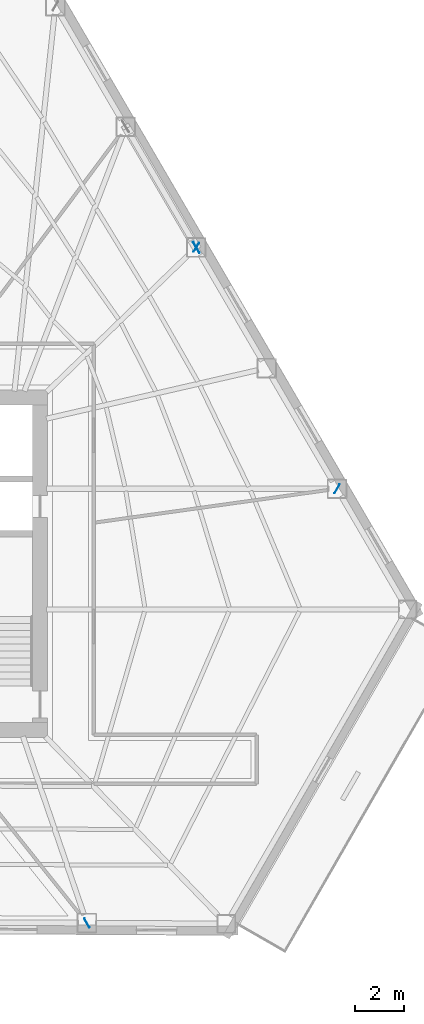
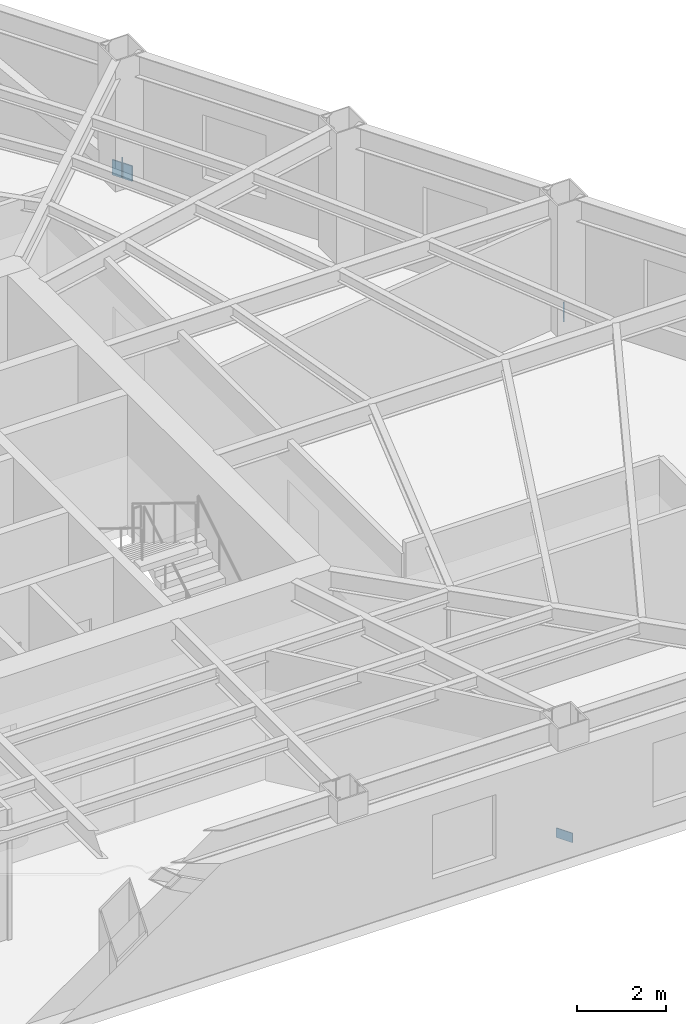
# One storey, part 8 of 16: 4 plates.
"""IFC4 building model written with IfcOpenShell, lengths in metres."""

from ifc_helpers import new_model, si_unit, direction, frame, origin, origin_2d, place, context, subcontext, project, spatial, rectangle, extrude, material, layer, layer_set, type_object, element, save


model = new_model("IFC4")

# Units and contexts
model_context = context("Model", 3, precision=1e-05, world=origin(), true_north=direction((0.0, 1.0)))
body_context = subcontext(model_context, "Body", "Model", "MODEL_VIEW")
ifc_project = project(units=[si_unit("LENGTHUNIT", "METRE"), si_unit("AREAUNIT", "SQUARE_METRE"), si_unit("VOLUMEUNIT", "CUBIC_METRE"), si_unit("PLANEANGLEUNIT", "RADIAN"), si_unit("MASSUNIT", "GRAM", prefix="KILO")], contexts=[model_context])

# Site, building, storey
site_placement = place(None, origin())
site = spatial("IfcSite", under=ifc_project, at=site_placement, CompositionType="ELEMENT")
building_placement = place(site_placement, origin())
building = spatial("IfcBuilding", under=site, at=building_placement, Name="Kavelnor Concourse Tower", CompositionType="ELEMENT")
storey_placement = place(building_placement, frame((0.0, 0.0, 48.35009765625)))
storey = spatial("IfcBuildingStorey", under=building, at=storey_placement, Name="L12", CompositionType="ELEMENT", Elevation=48.35009765625)

# Plates
ifc_material = material(Name="Steel Grade 350", Category="steel")
ifc_layer_1 = layer(ifc_material, 0.031982421875, Name="Steel Grade 350")
ifc_layer_set_1 = layer_set([ifc_layer_1], Name="Steel Grade 350")
plate_type_1 = type_object("IfcPlateType", Name="PL-GUSSET-TUBE-Z1", PredefinedType="USERDEFINED", material=ifc_layer_set_1)
plate_placement = place(storey_placement, frame((54.218017578125, 29.03369140625, 0.010009765625), z_axis=(0.0, 0.0, 1.0), x_axis=(-0.504075481823, 0.863659602288, 0.0)))
element("IfcPlate", 1, at=plate_placement, inside=storey, type_object=plate_type_1, Name="L12 Tube Brace Gusset GP3 F2-B3 End Gusset A", ObjectType="GUSSET_PLATE", PredefinedType="USERDEFINED", context=body_context, shape_type="SweptSolid", body=[
    extrude(rectangle(XDim=0.52001953125, YDim=0.031982421875, at=origin_2d()), origin(), (0.0, 0.0, 1.0), 0.419921875),
])
ifc_layer_2 = layer(ifc_material, 0.02490234375, Name="Steel Grade 350")
ifc_layer_set_2 = layer_set([ifc_layer_2], Name="Steel Grade 350")
plate_type_2 = type_object("IfcPlateType", Name="PL-SPLICE-FLANGE", PredefinedType="SHEET", material=ifc_layer_set_2)
for number, where, z_axis, x_axis, name in (
    (2, (49.736328125, 1.400390625, 0.169921875), (0.0, 0.0, 1.0), (-0.5, 0.866025403784, 0.0), "L12 Column Flange Splice Plate F1-B5"),
    (3, (59.976318359375, 19.16943359375, 0.169921875), (0.0, 0.0, 1.0), (-0.5, -0.866025403784, 0.0), "L12 Column Flange Splice Plate F2-B1"),
    (4, (54.2119140625, 29.044189453125, 0.169921875), (0.0, 0.0, 1.0), (-0.5, -0.866025403784, 0.0), "L12 Column Flange Splice Plate F2-B3"),
):
    element("IfcPlate", number, at=place(storey_placement, frame(where, z_axis=z_axis, x_axis=x_axis)), inside=storey, type_object=plate_type_2, Name=name, PredefinedType="SHEET", context=body_context, shape_type="SweptSolid", body=[
        extrude(rectangle(XDim=0.419921875, YDim=0.02490234375, at=origin_2d()), origin(), (0.0, 0.0, 1.0), 0.260009765625),
    ])

save(model, "model.ifc")
